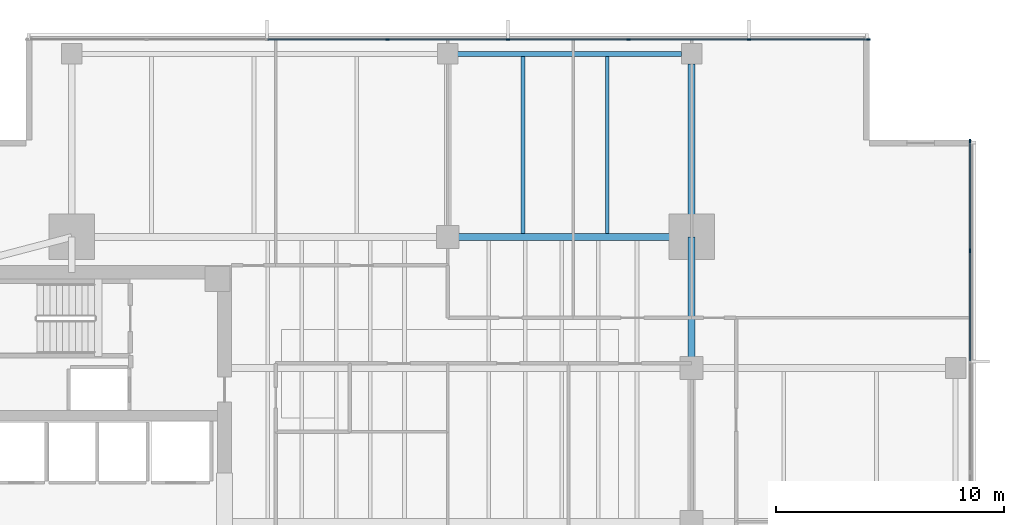
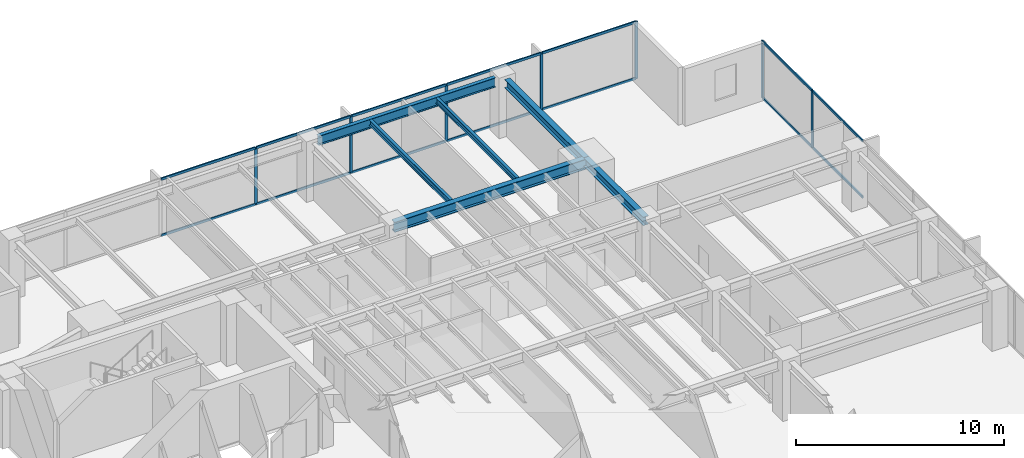
# One storey, part 6 of 14: 21 members, 6 beams, 2 elements without a shape of their own.
"""IFC4 building model written with IfcOpenShell, lengths in metres."""

from ifc_helpers import new_model, si_unit, direction, frame, origin, origin_2d, place, context, subcontext, project, spatial, rectangle, i_section, extrude, material, layer, layer_set, material_profile, profile_set, type_object, element, aggregate, save


model = new_model("IFC4")

# Units and contexts
model_context = context("Model", 3, precision=1e-05, world=origin(), true_north=direction((0.0, 1.0)))
body_context = subcontext(model_context, "Body", "Model", "MODEL_VIEW")
ifc_project = project(units=[si_unit("LENGTHUNIT", "METRE"), si_unit("AREAUNIT", "SQUARE_METRE"), si_unit("VOLUMEUNIT", "CUBIC_METRE"), si_unit("PLANEANGLEUNIT", "RADIAN"), si_unit("MASSUNIT", "GRAM", prefix="KILO")], contexts=[model_context])

# Site, building, storey
site_placement = place(None, origin())
site = spatial("IfcSite", under=ifc_project, at=site_placement, CompositionType="ELEMENT")
building_placement = place(site_placement, origin())
building = spatial("IfcBuilding", under=site, at=building_placement, Name="Kinhvarn Gate Tower", CompositionType="ELEMENT")
storey_placement = place(building_placement, frame((0.0, 0.0, 116.449951171875)))
storey = spatial("IfcBuildingStorey", under=building, at=storey_placement, Name="L30", CompositionType="ELEMENT", Elevation=116.449951171875)

# Curtain wall, members
ifc_material_1 = material(Name="Anodised aluminium AW-6063", Category="aluminium")
ifc_layer = layer(ifc_material_1, 0.179931640625)
ifc_layer_set = layer_set([ifc_layer], Name="Anodised aluminium AW-6063")
curtain_wall_type = type_object("IfcCurtainWallType", Name="CW-SYS-3", PredefinedType="NOTDEFINED", material=ifc_layer_set)
curtain_wall_1_placement = place(storey_placement, origin())
curtain_wall_1 = element("IfcCurtainWall", 1, at=curtain_wall_1_placement, inside=storey, type_object=curtain_wall_type, Name="Curtain Wall CW3 (L30)", PredefinedType="NOTDEFINED")
ifc_material_profile_1 = material_profile(ifc_material_1, rectangle(XDim=0.06494140625, YDim=0.159912109375, at=origin_2d()), Name="ALU 65x160")
ifc_profile_set_1 = profile_set([ifc_material_profile_1], Name="Anodised aluminium AW-6063")
member_type_1 = type_object("IfcMemberType", Name="CW-MUL-160", PredefinedType="MULLION", material=ifc_profile_set_1)
member_1_placement = place(storey_placement, frame((45.967529296875, 46.409912109375, 0.0), z_axis=(0.0, 0.0, 1.0), x_axis=(0.0, -1.0, 0.0)))
member_1 = element("IfcMember", 2, at=member_1_placement, type_object=member_type_1, Name="CW3 mullion 1", PredefinedType="MULLION", context=body_context, shape_type="SweptSolid", body=[
    extrude(rectangle(XDim=0.06494140625, YDim=0.159912109375, at=origin_2d()), origin(), (0.0, 0.0, 1.0), 3.3701171875),
])
member_2_placement = place(storey_placement, frame((40.71435546875, 46.409912109375, 0.0), z_axis=(0.0, 0.0, 1.0), x_axis=(0.0, -1.0, 0.0)))
member_2 = element("IfcMember", 3, at=member_2_placement, type_object=member_type_1, Name="CW3 mullion 2", PredefinedType="MULLION", context=body_context, shape_type="SweptSolid", body=[
    extrude(rectangle(XDim=0.06494140625, YDim=0.159912109375, at=origin_2d()), origin(), (0.0, 0.0, 1.0), 3.3701171875),
])
member_3_placement = place(storey_placement, frame((35.428466796875, 46.409912109375, 0.0), z_axis=(0.0, 0.0, 1.0), x_axis=(0.0, -1.0, 0.0)))
member_3 = element("IfcMember", 4, at=member_3_placement, type_object=member_type_1, Name="CW3 mullion 3", PredefinedType="MULLION", context=body_context, shape_type="SweptSolid", body=[
    extrude(rectangle(XDim=0.06494140625, YDim=0.159912109375, at=origin_2d()), origin(), (0.0, 0.0, 1.0), 3.3701171875),
])
member_4_placement = place(storey_placement, frame((30.142822265625, 46.409912109375, 0.0), z_axis=(0.0, 0.0, 1.0), x_axis=(0.0, -1.0, 0.0)))
member_4 = element("IfcMember", 5, at=member_4_placement, type_object=member_type_1, Name="CW3 mullion 4", PredefinedType="MULLION", context=body_context, shape_type="SweptSolid", body=[
    extrude(rectangle(XDim=0.06494140625, YDim=0.159912109375, at=origin_2d()), origin(), (0.0, 0.0, 1.0), 3.3701171875),
])
member_5_placement = place(storey_placement, frame((24.857177734375, 46.409912109375, 0.0), z_axis=(0.0, 0.0, 1.0), x_axis=(0.0, -1.0, 0.0)))
member_5 = element("IfcMember", 6, at=member_5_placement, type_object=member_type_1, Name="CW3 mullion 5", PredefinedType="MULLION", context=body_context, shape_type="SweptSolid", body=[
    extrude(rectangle(XDim=0.06494140625, YDim=0.159912109375, at=origin_2d()), origin(), (0.0, 0.0, 1.0), 3.3701171875),
])

curtain_wall_2_placement = place(storey_placement, origin())
curtain_wall_2 = element("IfcCurtainWall", 7, at=curtain_wall_2_placement, inside=storey, type_object=curtain_wall_type, Name="Curtain Wall CW3 (L30)", PredefinedType="NOTDEFINED")
member_6_placement = place(storey_placement, frame((50.409912109375, 37.142822265625, 0.0), z_axis=(0.0, 0.0, 1.0), x_axis=(-1.0, 0.0, 0.0)))
member_6 = element("IfcMember", 8, at=member_6_placement, type_object=member_type_1, Name="CW3 mullion 7", PredefinedType="MULLION", context=body_context, shape_type="SweptSolid", body=[
    extrude(rectangle(XDim=0.06494140625, YDim=0.159912109375, at=origin_2d()), origin(), (0.0, 0.0, 1.0), 3.3701171875),
])
member_7_placement = place(storey_placement, frame((50.409912109375, 41.967529296875, 0.0), z_axis=(0.0, 0.0, 1.0), x_axis=(-1.0, 0.0, 0.0)))
member_7 = element("IfcMember", 9, at=member_7_placement, type_object=member_type_1, Name="CW3 mullion 8", PredefinedType="MULLION", context=body_context, shape_type="SweptSolid", body=[
    extrude(rectangle(XDim=0.06494140625, YDim=0.159912109375, at=origin_2d()), origin(), (0.0, 0.0, 1.0), 3.3701171875),
])

# Member
ifc_material_profile_2 = material_profile(ifc_material_1, rectangle(XDim=0.070068359375, YDim=0.139892578125, at=origin_2d()), Name="ALU 70x140")
ifc_profile_set_2 = profile_set([ifc_material_profile_2], Name="Anodised aluminium AW-6063")
member_type_2 = type_object("IfcMemberType", Name="CW-TRN-140", PredefinedType="USERDEFINED", material=ifc_profile_set_2)
member_8_placement = place(storey_placement, frame((45.93505859375, 46.409912109375, 0.03515625), z_axis=(-1.0, 0.0, 0.0), x_axis=(0.0, -1.0, 0.0)))
member_8 = element("IfcMember", 10, at=member_8_placement, type_object=member_type_2, Name="CW3 transom 1.1", ObjectType="TRANSOM", PredefinedType="USERDEFINED", context=body_context, shape_type="SweptSolid", body=[
    extrude(rectangle(XDim=0.070068359375, YDim=0.139892578125, at=origin_2d()), origin(), (0.0, 0.0, 1.0), 5.188232421875),
])

member_9_placement = place(storey_placement, frame((45.93505859375, 46.409912109375, 3.3349609375), z_axis=(-1.0, 0.0, 0.0), x_axis=(0.0, -1.0, 0.0)))
member_9 = element("IfcMember", 11, at=member_9_placement, type_object=member_type_2, Name="CW3 transom 1.2", ObjectType="TRANSOM", PredefinedType="USERDEFINED", context=body_context, shape_type="SweptSolid", body=[
    extrude(rectangle(XDim=0.070068359375, YDim=0.139892578125, at=origin_2d()), origin(), (0.0, 0.0, 1.0), 5.188232421875),
])

member_10_placement = place(storey_placement, frame((40.681884765625, 46.409912109375, 0.03515625), z_axis=(-1.0, 0.0, 0.0), x_axis=(0.0, -1.0, 0.0)))
member_10 = element("IfcMember", 12, at=member_10_placement, type_object=member_type_2, Name="CW3 transom 2.1", ObjectType="TRANSOM", PredefinedType="USERDEFINED", context=body_context, shape_type="SweptSolid", body=[
    extrude(rectangle(XDim=0.070068359375, YDim=0.139892578125, at=origin_2d()), origin(), (0.0, 0.0, 1.0), 5.220703125),
])

member_11_placement = place(storey_placement, frame((40.681884765625, 46.409912109375, 3.3349609375), z_axis=(-1.0, 0.0, 0.0), x_axis=(0.0, -1.0, 0.0)))
member_11 = element("IfcMember", 13, at=member_11_placement, type_object=member_type_2, Name="CW3 transom 2.2", ObjectType="TRANSOM", PredefinedType="USERDEFINED", context=body_context, shape_type="SweptSolid", body=[
    extrude(rectangle(XDim=0.070068359375, YDim=0.139892578125, at=origin_2d()), origin(), (0.0, 0.0, 1.0), 5.220703125),
])

member_12_placement = place(storey_placement, frame((35.39599609375, 46.409912109375, 0.03515625), z_axis=(-1.0, 0.0, 0.0), x_axis=(0.0, -1.0, 0.0)))
member_12 = element("IfcMember", 14, at=member_12_placement, type_object=member_type_2, Name="CW3 transom 3.1", ObjectType="TRANSOM", PredefinedType="USERDEFINED", context=body_context, shape_type="SweptSolid", body=[
    extrude(rectangle(XDim=0.070068359375, YDim=0.139892578125, at=origin_2d()), origin(), (0.0, 0.0, 1.0), 5.220703125),
])

member_13_placement = place(storey_placement, frame((35.39599609375, 46.409912109375, 3.3349609375), z_axis=(-1.0, 0.0, 0.0), x_axis=(0.0, -1.0, 0.0)))
member_13 = element("IfcMember", 15, at=member_13_placement, type_object=member_type_2, Name="CW3 transom 3.2", ObjectType="TRANSOM", PredefinedType="USERDEFINED", context=body_context, shape_type="SweptSolid", body=[
    extrude(rectangle(XDim=0.070068359375, YDim=0.139892578125, at=origin_2d()), origin(), (0.0, 0.0, 1.0), 5.220703125),
])

member_14_placement = place(storey_placement, frame((30.1103515625, 46.409912109375, 0.03515625), z_axis=(-1.0, 0.0, 0.0), x_axis=(0.0, -1.0, 0.0)))
member_14 = element("IfcMember", 16, at=member_14_placement, type_object=member_type_2, Name="CW3 transom 4.1", ObjectType="TRANSOM", PredefinedType="USERDEFINED", context=body_context, shape_type="SweptSolid", body=[
    extrude(rectangle(XDim=0.070068359375, YDim=0.139892578125, at=origin_2d()), origin(), (0.0, 0.0, 1.0), 5.220703125),
])

member_15_placement = place(storey_placement, frame((30.1103515625, 46.409912109375, 3.3349609375), z_axis=(-1.0, 0.0, 0.0), x_axis=(0.0, -1.0, 0.0)))
member_15 = element("IfcMember", 17, at=member_15_placement, type_object=member_type_2, Name="CW3 transom 4.2", ObjectType="TRANSOM", PredefinedType="USERDEFINED", context=body_context, shape_type="SweptSolid", body=[
    extrude(rectangle(XDim=0.070068359375, YDim=0.139892578125, at=origin_2d()), origin(), (0.0, 0.0, 1.0), 5.220703125),
])

member_16_placement = place(storey_placement, frame((24.82470703125, 46.409912109375, 0.03515625), z_axis=(-1.0, 0.0, 0.0), x_axis=(0.0, -1.0, 0.0)))
member_16 = element("IfcMember", 18, at=member_16_placement, type_object=member_type_2, Name="CW3 transom 5.1", ObjectType="TRANSOM", PredefinedType="USERDEFINED", context=body_context, shape_type="SweptSolid", body=[
    extrude(rectangle(XDim=0.070068359375, YDim=0.139892578125, at=origin_2d()), origin(), (0.0, 0.0, 1.0), 5.220703125),
])

member_17_placement = place(storey_placement, frame((24.82470703125, 46.409912109375, 3.3349609375), z_axis=(-1.0, 0.0, 0.0), x_axis=(0.0, -1.0, 0.0)))
member_17 = element("IfcMember", 19, at=member_17_placement, type_object=member_type_2, Name="CW3 transom 5.2", ObjectType="TRANSOM", PredefinedType="USERDEFINED", context=body_context, shape_type="SweptSolid", body=[
    extrude(rectangle(XDim=0.070068359375, YDim=0.139892578125, at=origin_2d()), origin(), (0.0, 0.0, 1.0), 5.220703125),
])

aggregate(curtain_wall_1, [member_1, member_2, member_3, member_4, member_5, member_8, member_9, member_10, member_11, member_12, member_13, member_14, member_15, member_16, member_17])

member_18_placement = place(storey_placement, frame((50.409912109375, 32.318115234375, 0.03515625), z_axis=(0.0, 1.0, 0.0), x_axis=(-1.0, 0.0, 0.0)))
member_18 = element("IfcMember", 20, at=member_18_placement, type_object=member_type_2, Name="CW3 transom 6.1", ObjectType="TRANSOM", PredefinedType="USERDEFINED", context=body_context, shape_type="SweptSolid", body=[
    extrude(rectangle(XDim=0.070068359375, YDim=0.139892578125, at=origin_2d()), origin(), (0.0, 0.0, 1.0), 4.792236328125),
])

member_19_placement = place(storey_placement, frame((50.409912109375, 32.318115234375, 3.3349609375), z_axis=(0.0, 1.0, 0.0), x_axis=(-1.0, 0.0, 0.0)))
member_19 = element("IfcMember", 21, at=member_19_placement, type_object=member_type_2, Name="CW3 transom 6.2", ObjectType="TRANSOM", PredefinedType="USERDEFINED", context=body_context, shape_type="SweptSolid", body=[
    extrude(rectangle(XDim=0.070068359375, YDim=0.139892578125, at=origin_2d()), origin(), (0.0, 0.0, 1.0), 4.792236328125),
])

member_20_placement = place(storey_placement, frame((50.409912109375, 37.17529296875, 0.03515625), z_axis=(0.0, 1.0, 0.0), x_axis=(-1.0, 0.0, 0.0)))
member_20 = element("IfcMember", 22, at=member_20_placement, type_object=member_type_2, Name="CW3 transom 7.1", ObjectType="TRANSOM", PredefinedType="USERDEFINED", context=body_context, shape_type="SweptSolid", body=[
    extrude(rectangle(XDim=0.070068359375, YDim=0.139892578125, at=origin_2d()), origin(), (0.0, 0.0, 1.0), 4.759765625),
])

member_21_placement = place(storey_placement, frame((50.409912109375, 37.17529296875, 3.3349609375), z_axis=(0.0, 1.0, 0.0), x_axis=(-1.0, 0.0, 0.0)))
member_21 = element("IfcMember", 23, at=member_21_placement, type_object=member_type_2, Name="CW3 transom 7.2", ObjectType="TRANSOM", PredefinedType="USERDEFINED", context=body_context, shape_type="SweptSolid", body=[
    extrude(rectangle(XDim=0.070068359375, YDim=0.139892578125, at=origin_2d()), origin(), (0.0, 0.0, 1.0), 4.759765625),
])

aggregate(curtain_wall_2, [member_6, member_7, member_18, member_19, member_20, member_21])

# Beams
ifc_material_2 = material(Name="Steel S355", Category="steel")
ifc_material_profile_3 = material_profile(ifc_material_2, i_section(OverallWidth=0.300048828125, OverallDepth=0.5, WebThickness=0.014404296875, FlangeThickness=0.028076171875, at=origin_2d()), Name="HEB 500")
ifc_profile_set_3 = profile_set([ifc_material_profile_3], Name="Steel S355")
beam_type_1 = type_object("IfcBeamType", Name="STL-HEB500", PredefinedType="BEAM", material=ifc_profile_set_3)
beam_1_placement = place(storey_placement, frame((38.199951171875, 37.75, 3.1201171875), z_axis=(0.0, 1.0, 0.0), x_axis=(-1.0, 0.0, 0.0)))
element("IfcBeam", 24, at=beam_1_placement, inside=storey, type_object=beam_type_1, Name="Floor Beam PG-14 (L30 MCE-N)", PredefinedType="BEAM", context=body_context, shape_type="SweptSolid", body=[
    extrude(i_section(OverallWidth=0.300048828125, OverallDepth=0.5, WebThickness=0.014404296875, FlangeThickness=0.028076171875, at=origin_2d()), origin(), (0.0, 0.0, 1.0), 7.594970703125),
])
beam_2_placement = place(storey_placement, frame((38.199951171875, 32.0, 3.1201171875), z_axis=(0.0, 1.0, 0.0), x_axis=(-1.0, 0.0, 0.0)))
element("IfcBeam", 25, at=beam_2_placement, inside=storey, type_object=beam_type_1, Name="Floor Beam PG-14 (L30 MG-E-32)", PredefinedType="BEAM", context=body_context, shape_type="SweptSolid", body=[
    extrude(i_section(OverallWidth=0.300048828125, OverallDepth=0.5, WebThickness=0.014404296875, FlangeThickness=0.028076171875, at=origin_2d()), origin(), (0.0, 0.0, 1.0), 5.75),
])
ifc_material_profile_4 = material_profile(ifc_material_2, i_section(OverallWidth=0.300048828125, OverallDepth=0.60009765625, WebThickness=0.015380859375, FlangeThickness=0.030029296875, at=origin_2d()), Name="HEB 600")
ifc_profile_set_4 = profile_set([ifc_material_profile_4], Name="Steel S355")
beam_type_2 = type_object("IfcBeamType", Name="STL-HEB600", PredefinedType="BEAM", material=ifc_profile_set_4)
beam_3_placement = place(storey_placement, frame((27.5, 37.75, 3.070068359375), z_axis=(1.0, 0.0, 0.0), x_axis=(0.0, 1.0, 0.0)))
element("IfcBeam", 26, at=beam_3_placement, inside=storey, type_object=beam_type_2, Name="Floor Beam PG-16 (L30 MG-N2)", PredefinedType="BEAM", context=body_context, shape_type="SweptSolid", body=[
    extrude(i_section(OverallWidth=0.300048828125, OverallDepth=0.60009765625, WebThickness=0.015380859375, FlangeThickness=0.030029296875, at=origin_2d()), origin(), (0.0, 0.0, 1.0), 10.699951171875),
])
ifc_material_profile_5 = material_profile(ifc_material_2, i_section(OverallWidth=0.159912109375, OverallDepth=0.330078125, WebThickness=0.007568359375, FlangeThickness=0.011474609375, at=origin_2d()), Name="IPE 330")
ifc_profile_set_5 = profile_set([ifc_material_profile_5], Name="Steel S355")
beam_type_3 = type_object("IfcBeamType", Name="STL-IPE330", PredefinedType="JOIST", material=ifc_profile_set_5)
for number, where, z_axis, x_axis, name in (
    (27, (30.800048828125, 37.89990234375, 3.205078125), (0.0, 1.0, 0.0), (-1.0, 0.0, 0.0), "Floor Joist SB-03 (L30 JN-X308)"),
    (28, (34.5, 37.89990234375, 3.205078125), (0.0, 1.0, 0.0), (-1.0, 0.0, 0.0), "Floor Joist SB-03 (L30 JN-X345)"),
):
    element("IfcBeam", number, at=place(storey_placement, frame(where, z_axis=z_axis, x_axis=x_axis)), inside=storey, type_object=beam_type_3, Name=name, PredefinedType="JOIST", context=body_context, shape_type="SweptSolid", body=[
        extrude(i_section(OverallWidth=0.159912109375, OverallDepth=0.330078125, WebThickness=0.007568359375, FlangeThickness=0.011474609375, at=origin_2d()), origin(), (0.0, 0.0, 1.0), 7.775146484375),
    ])
ifc_material_profile_6 = material_profile(ifc_material_2, i_section(OverallWidth=0.2099609375, OverallDepth=0.550048828125, WebThickness=0.010986328125, FlangeThickness=0.01708984375, at=origin_2d()), Name="IPE 550")
ifc_profile_set_6 = profile_set([ifc_material_profile_6], Name="Steel S355")
beam_type_4 = type_object("IfcBeamType", Name="STL-IPE550", PredefinedType="SPANDREL", material=ifc_profile_set_6)
beam_4_placement = place(storey_placement, frame((27.93505859375, 45.780029296875, 3.094970703125), z_axis=(1.0, 0.0, 0.0), x_axis=(0.0, 1.0, 0.0)))
element("IfcBeam", 29, at=beam_4_placement, inside=storey, type_object=beam_type_4, Name="Floor Spandrel SB-08 (L30 SP-N2)", PredefinedType="SPANDREL", context=body_context, shape_type="SweptSolid", body=[
    extrude(i_section(OverallWidth=0.2099609375, OverallDepth=0.550048828125, WebThickness=0.010986328125, FlangeThickness=0.01708984375, at=origin_2d()), origin(), (0.0, 0.0, 1.0), 9.829833984375),
])

save(model, "model.ifc")
